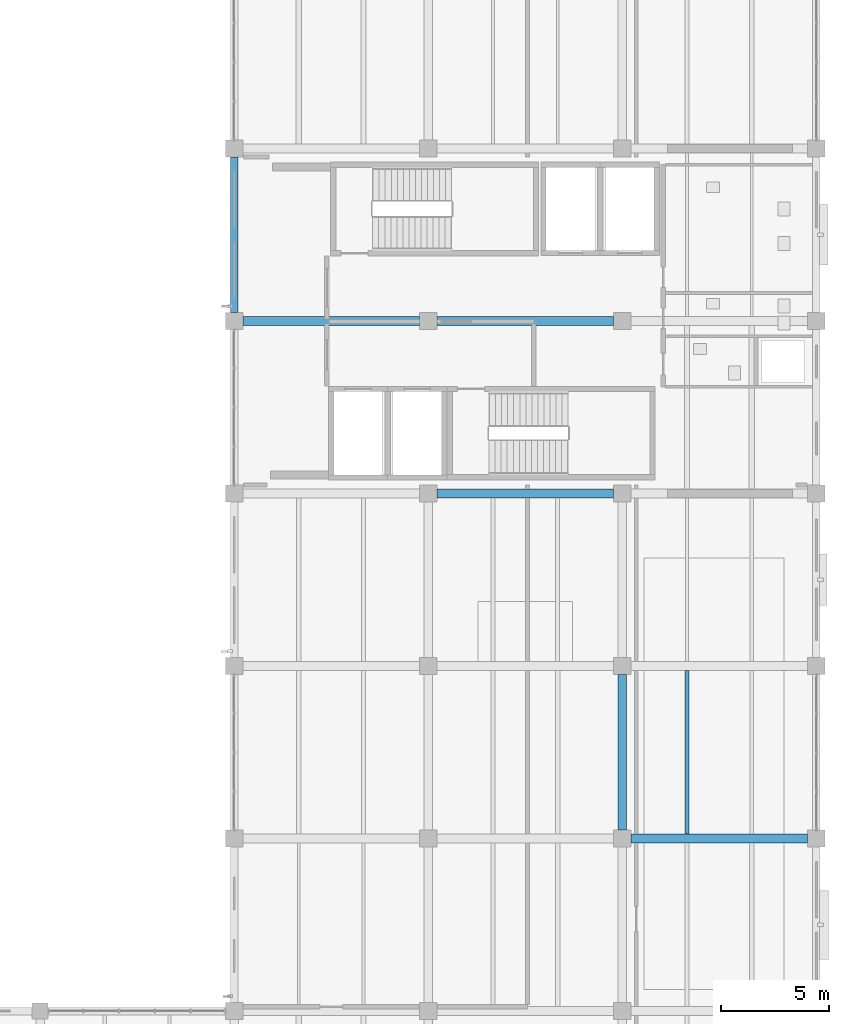
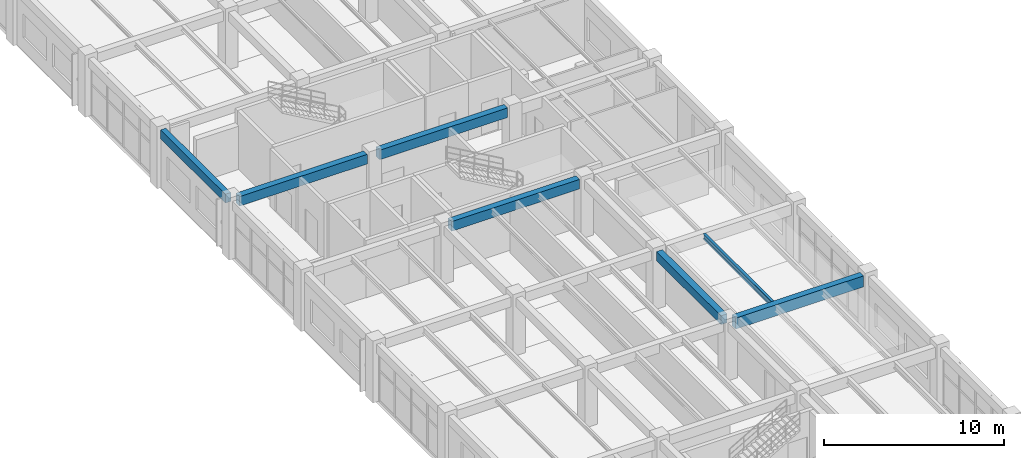
# One storey, part 97 of 148: 7 beams.
"""IFC4 building model written with IfcOpenShell, lengths in metres."""

from ifc_helpers import new_model, si_unit, derived_unit, direction, frame, origin, origin_2d, place, context, subcontext, project, spatial, rectangle, i_section, extrude, material, material_profile, profile_set, type_object, element, save


model = new_model("IFC4")

# Units and contexts
model_context = context("Model", 3, precision=1e-05, world=origin(), true_north=direction((0.0, 1.0)))
body_context = subcontext(model_context, "Body", "Model", "MODEL_VIEW")
ifc_project = project(units=[si_unit("LENGTHUNIT", "METRE"), si_unit("AREAUNIT", "SQUARE_METRE"), si_unit("VOLUMEUNIT", "CUBIC_METRE"), si_unit("PLANEANGLEUNIT", "RADIAN"), si_unit("MASSUNIT", "GRAM", prefix="KILO"), derived_unit("THERMALTRANSMITTANCEUNIT", [(si_unit("MASSUNIT", "GRAM", prefix="KILO"), 1), (si_unit("TIMEUNIT", "SECOND"), -3), (si_unit("THERMODYNAMICTEMPERATUREUNIT", "KELVIN"), -1)])], contexts=[model_context])

# Site, building, storey
site_placement = place(None, origin())
site = spatial("IfcSite", under=ifc_project, at=site_placement, CompositionType="ELEMENT")
building_placement = place(site_placement, origin())
building = spatial("IfcBuilding", under=site, at=building_placement, Name="Zhenchuan Archway Interchange", CompositionType="ELEMENT")
storey_placement = place(building_placement, frame((0.0, 0.0, 10.199951171875)))
storey = spatial("IfcBuildingStorey", under=building, at=storey_placement, Name="L02", CompositionType="ELEMENT", Elevation=10.199951171875)

# Beams
ifc_material_1 = material(Name="Concrete C40", Category="concrete")
ifc_material_profile_1 = material_profile(ifc_material_1, rectangle(XDim=0.39990234375, YDim=0.60009765625, at=origin_2d()), Name="RC 400x600")
ifc_profile_set_1 = profile_set([ifc_material_profile_1], Name="Concrete C40")
beam_type_1 = type_object("IfcBeamType", Name="BM_RC_400x600", PredefinedType="BEAM", material=ifc_profile_set_1)
beam_1_placement = place(storey_placement, frame((162.0, 32.39990234375, 3.6201171875), z_axis=(0.0, 1.0, 0.0), x_axis=(-1.0, 0.0, 0.0)))
element("IfcBeam", 1, at=beam_1_placement, inside=storey, type_object=beam_type_1, Name="Beam 19:E-F (L02)", PredefinedType="BEAM", context=body_context, shape_type="SweptSolid", body=[
    extrude(rectangle(XDim=0.39990234375, YDim=0.60009765625, at=origin_2d()), origin(), (0.0, 0.0, 1.0), 7.2001953125),
])
ifc_material_profile_2 = material_profile(ifc_material_1, rectangle(XDim=0.39990234375, YDim=0.64990234375, at=origin_2d()), Name="RC 400x650")
ifc_profile_set_2 = profile_set([ifc_material_profile_2], Name="Concrete C40")
beam_type_2 = type_object("IfcBeamType", Name="BM_RC_400x650", PredefinedType="BEAM", material=ifc_profile_set_2)
for number, where, z_axis, x_axis, name in (
    (2, (153.39990234375, 48.0, 3.594970703125), (1.0, 0.0, 0.0), (0.0, 1.0, 0.0), "Beam G:18-19 (L02)"),
    (3, (144.39990234375, 56.0, 3.594970703125), (1.0, 0.0, 0.0), (0.0, 1.0, 0.0), "Beam H:17-18 (L02)"),
    (4, (153.39990234375, 56.0, 3.594970703125), (1.0, 0.0, 0.0), (0.0, 1.0, 0.0), "Beam H:18-19 (L02)"),
):
    element("IfcBeam", number, at=place(storey_placement, frame(where, z_axis=z_axis, x_axis=x_axis)), inside=storey, type_object=beam_type_2, Name=name, PredefinedType="BEAM", context=body_context, shape_type="SweptSolid", body=[
        extrude(rectangle(XDim=0.39990234375, YDim=0.64990234375, at=origin_2d()), origin(), (0.0, 0.0, 1.0), 8.2001953125),
    ])
ifc_material_profile_3 = material_profile(ifc_material_1, rectangle(XDim=0.39990234375, YDim=0.75, at=origin_2d()), Name="RC 400x750")
ifc_profile_set_3 = profile_set([ifc_material_profile_3], Name="Concrete C40")
beam_type_3 = type_object("IfcBeamType", Name="BM_RC_400x750", PredefinedType="BEAM", material=ifc_profile_set_3)
beam_2_placement = place(storey_placement, frame((162.39990234375, 32.0, 3.545166015625), z_axis=(1.0, 0.0, 0.0), x_axis=(0.0, 1.0, 0.0)))
element("IfcBeam", 5, at=beam_2_placement, inside=storey, type_object=beam_type_3, Name="Beam E:19-20 (L02)", PredefinedType="BEAM", context=body_context, shape_type="SweptSolid", body=[
    extrude(rectangle(XDim=0.39990234375, YDim=0.75, at=origin_2d()), origin(), (0.0, 0.0, 1.0), 8.2001953125),
])
ifc_material_2 = material(Name="Steel Q355", Category="steel")
ifc_material_profile_4 = material_profile(ifc_material_2, i_section(OverallWidth=0.175048828125, OverallDepth=0.35009765625, WebThickness=0.007080078125, FlangeThickness=0.010986328125, FilletRadius=0.013916015625, at=origin_2d()), Name="HN 350x175")
ifc_profile_set_4 = profile_set([ifc_material_profile_4], Name="Steel Q355")
beam_type_4 = type_object("IfcBeamType", Name="JST_STL_HN350", PredefinedType="JOIST", material=ifc_profile_set_4)
beam_3_placement = place(storey_placement, frame((165.0, 32.199951171875, 3.7451171875), z_axis=(0.0, 1.0, 0.0), x_axis=(-1.0, 0.0, 0.0)))
element("IfcBeam", 6, at=beam_3_placement, inside=storey, type_object=beam_type_4, Name="Secondary joist 19-20/E-F #1 (L02)", PredefinedType="JOIST", context=body_context, shape_type="SweptSolid", body=[
    extrude(i_section(OverallWidth=0.175048828125, OverallDepth=0.35009765625, WebThickness=0.007080078125, FlangeThickness=0.010986328125, FilletRadius=0.013916015625, at=origin_2d()), origin(), (0.0, 0.0, 1.0), 7.60009765625),
])
ifc_material_profile_5 = material_profile(ifc_material_1, rectangle(XDim=0.35009765625, YDim=0.60009765625, at=origin_2d()), Name="RC 350x600")
ifc_profile_set_5 = profile_set([ifc_material_profile_5], Name="Concrete C40")
beam_type_5 = type_object("IfcBeamType", Name="SP_RC_350x600", PredefinedType="SPANDREL", material=ifc_profile_set_5)
beam_4_placement = place(storey_placement, frame((144.0, 56.39990234375, 3.6201171875), z_axis=(0.0, 1.0, 0.0), x_axis=(-1.0, 0.0, 0.0)))
element("IfcBeam", 7, at=beam_4_placement, inside=storey, type_object=beam_type_5, Name="Beam 17:H-J (L02)", PredefinedType="SPANDREL", context=body_context, shape_type="SweptSolid", body=[
    extrude(rectangle(XDim=0.35009765625, YDim=0.60009765625, at=origin_2d()), origin(), (0.0, 0.0, 1.0), 7.2001953125),
])

save(model, "model.ifc")
